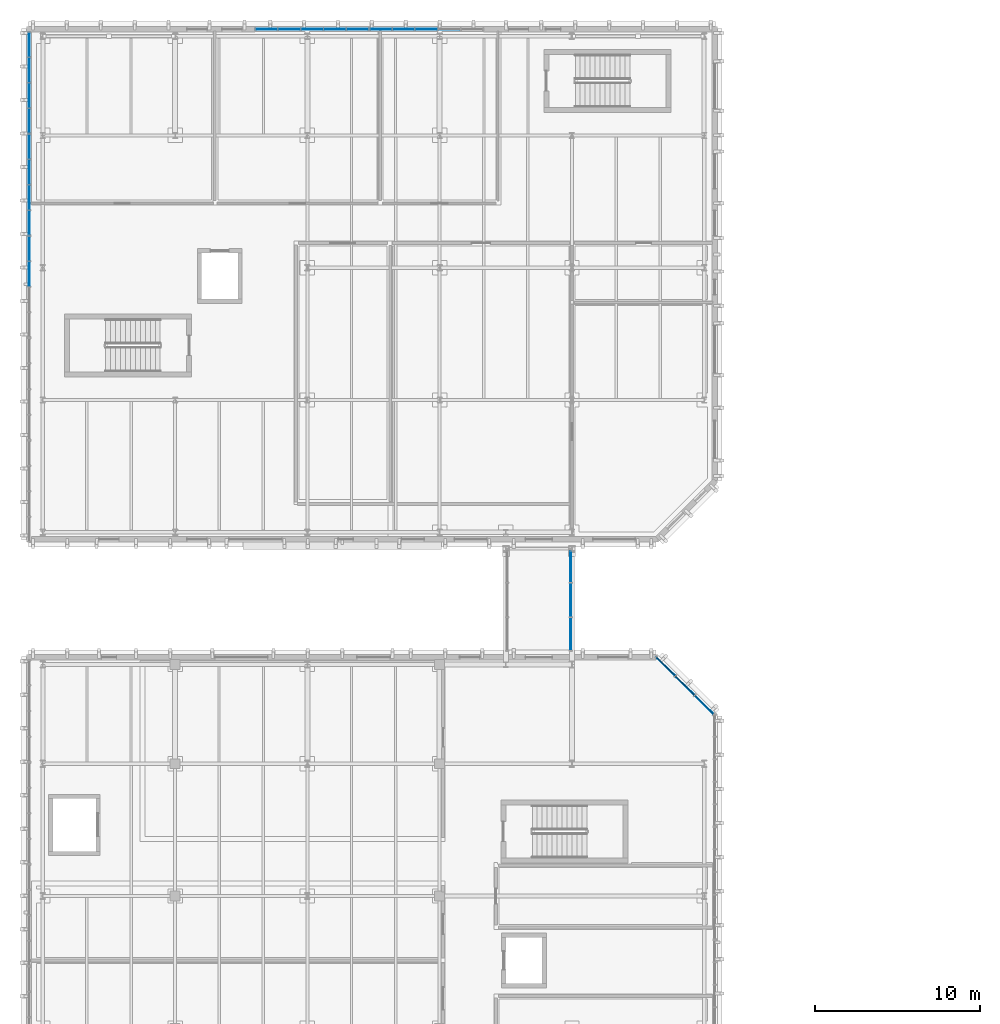
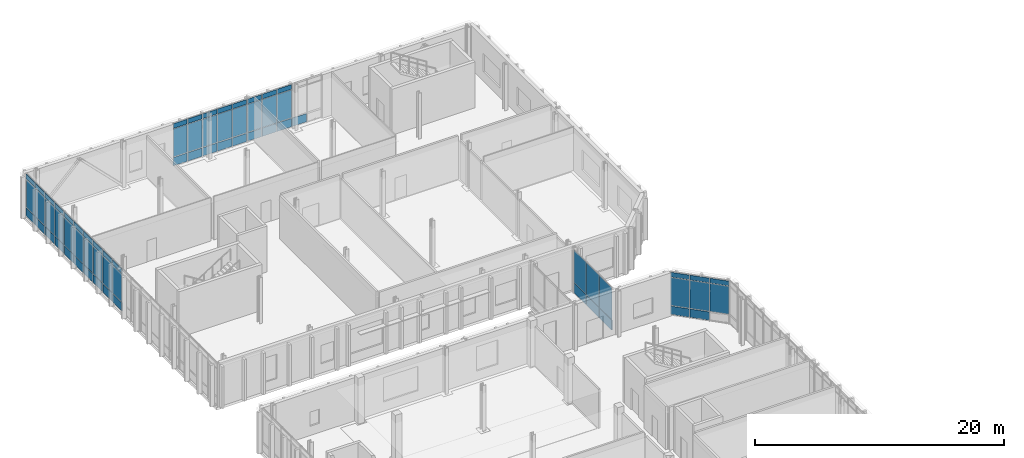
# One storey, part 58 of 100: 69 plates, 7 elements without a shape of their own.
"""IFC4 building model written with IfcOpenShell, lengths in metres."""

from ifc_helpers import new_model, si_unit, direction, frame, origin, origin_2d, place, context, subcontext, project, spatial, rectangle, extrude, material, layer, layer_set, type_object, element, aggregate, save


model = new_model("IFC4")

# Units and contexts
model_context = context("Model", 3, precision=1e-05, world=origin(), true_north=direction((0.0, 1.0)))
body_context = subcontext(model_context, "Body", "Model", "MODEL_VIEW")
ifc_project = project(units=[si_unit("LENGTHUNIT", "METRE"), si_unit("AREAUNIT", "SQUARE_METRE"), si_unit("VOLUMEUNIT", "CUBIC_METRE"), si_unit("PLANEANGLEUNIT", "RADIAN"), si_unit("MASSUNIT", "GRAM", prefix="KILO")], contexts=[model_context])

# Site, building, storey
site_placement = place(None, origin())
site = spatial("IfcSite", under=ifc_project, at=site_placement, CompositionType="ELEMENT")
building_placement = place(site_placement, origin())
building = spatial("IfcBuilding", under=site, at=building_placement, Name="Cymarion Research Institute", CompositionType="ELEMENT")
storey_placement = place(building_placement, frame((0.0, 0.0, 9.300048828125)))
storey = spatial("IfcBuildingStorey", under=building, at=storey_placement, Name="L02", CompositionType="ELEMENT", Elevation=9.300048828125)

# Curtain wall, plates
ifc_material_1 = material(Name="Anodised aluminium unitised curtain wall with Low-E glazing", Category="aluminium")
curtain_wall_type_1 = type_object("IfcCurtainWallType", Name="UNITISED CURTAIN WALL CW21 4970X4250", PredefinedType="NOTDEFINED", material=ifc_material_1)
curtain_wall_1_placement = place(storey_placement, origin())
curtain_wall_1 = element("IfcCurtainWall", 1, at=curtain_wall_1_placement, inside=storey, type_object=curtain_wall_type_1, Name="L02 V4 unitised curtain wall CW21 #102", PredefinedType="NOTDEFINED")
ifc_material_2 = material(Name="Insulated anodised aluminium spandrel panel", Category="aluminium")
ifc_layer_1 = layer(ifc_material_2, 0.06005859375)
ifc_layer_set_1 = layer_set([ifc_layer_1], Name="Insulated anodised aluminium spandrel panel")
plate_type_1 = type_object("IfcPlateType", Name="INSULATED ALUMINIUM SPANDREL PANEL SP01 60MM", PredefinedType="SHEET", material=ifc_layer_set_1)
plate_1_placement = place(storey_placement, frame((46.5966796875, 75.062744140625, 3.72998046875), z_axis=(0.0, 0.0, 1.0), x_axis=(-0.707096717405, 0.707116844825, 0.0)))
plate_1 = element("IfcPlate", 2, at=plate_1_placement, type_object=plate_type_1, Name="CW21 panel 1.3", PredefinedType="SHEET", context=body_context, shape_type="SweptSolid", body=[
    extrude(rectangle(XDim=1.566162109375, YDim=0.06005859375, at=origin_2d()), origin(), (0.0, 0.0, 1.0), 0.4599609375),
])
plate_2_placement = place(storey_placement, frame((45.436279296875, 76.22314453125, 0.059814453125), z_axis=(0.0, 0.0, 1.0), x_axis=(-0.707096717405, 0.707116844825, 0.0)))
plate_2 = element("IfcPlate", 3, at=plate_2_placement, type_object=plate_type_1, Name="CW21 panel 2.1", PredefinedType="SHEET", context=body_context, shape_type="SweptSolid", body=[
    extrude(rectangle(XDim=1.59619140625, YDim=0.06005859375, at=origin_2d()), origin(), (0.0, 0.0, 1.0), 0.81005859375),
])
plate_3_placement = place(storey_placement, frame((45.436279296875, 76.22314453125, 3.72998046875), z_axis=(0.0, 0.0, 1.0), x_axis=(-0.707096717405, 0.707116844825, 0.0)))
plate_3 = element("IfcPlate", 4, at=plate_3_placement, type_object=plate_type_1, Name="CW21 panel 2.3", PredefinedType="SHEET", context=body_context, shape_type="SweptSolid", body=[
    extrude(rectangle(XDim=1.59619140625, YDim=0.06005859375, at=origin_2d()), origin(), (0.0, 0.0, 1.0), 0.4599609375),
])
plate_4_placement = place(storey_placement, frame((44.27587890625, 77.383544921875, 0.059814453125), z_axis=(0.0, 0.0, 1.0), x_axis=(-0.707096717405, 0.707116844825, 0.0)))
plate_4 = element("IfcPlate", 5, at=plate_4_placement, type_object=plate_type_1, Name="CW21 panel 3.1", PredefinedType="SHEET", context=body_context, shape_type="SweptSolid", body=[
    extrude(rectangle(XDim=1.566162109375, YDim=0.06005859375, at=origin_2d()), origin(), (0.0, 0.0, 1.0), 0.81005859375),
])
plate_5_placement = place(storey_placement, frame((44.27587890625, 77.383544921875, 3.72998046875), z_axis=(0.0, 0.0, 1.0), x_axis=(-0.707096717405, 0.707116844825, 0.0)))
plate_5 = element("IfcPlate", 6, at=plate_5_placement, type_object=plate_type_1, Name="CW21 panel 3.3", PredefinedType="SHEET", context=body_context, shape_type="SweptSolid", body=[
    extrude(rectangle(XDim=1.566162109375, YDim=0.06005859375, at=origin_2d()), origin(), (0.0, 0.0, 1.0), 0.4599609375),
])

curtain_wall_type_2 = type_object("IfcCurtainWallType", Name="UNITISED CURTAIN WALL CW23 6910X4250", PredefinedType="NOTDEFINED", material=ifc_material_1)
curtain_wall_2_placement = place(storey_placement, origin())
curtain_wall_2 = element("IfcCurtainWall", 7, at=curtain_wall_2_placement, inside=storey, type_object=curtain_wall_type_2, Name="L02 V5 unitised curtain wall CW23 #108", PredefinedType="NOTDEFINED")
plate_6_placement = place(storey_placement, frame((31.177978515625, 115.929931640625, 0.059814453125), z_axis=(0.0, 0.0, 1.0), x_axis=(-1.0, 0.0, 0.0)))
plate_6 = element("IfcPlate", 8, at=plate_6_placement, type_object=plate_type_1, Name="CW23 panel 2.1", PredefinedType="SHEET", context=body_context, shape_type="SweptSolid", body=[
    extrude(rectangle(XDim=1.322509765625, YDim=0.06005859375, at=origin_2d()), origin(), (0.0, 0.0, 1.0), 0.81005859375),
])
plate_7_placement = place(storey_placement, frame((29.79541015625, 115.929931640625, 0.059814453125), z_axis=(0.0, 0.0, 1.0), x_axis=(-1.0, 0.0, 0.0)))
plate_7 = element("IfcPlate", 9, at=plate_7_placement, type_object=plate_type_1, Name="CW23 panel 3.1", PredefinedType="SHEET", context=body_context, shape_type="SweptSolid", body=[
    extrude(rectangle(XDim=1.322509765625, YDim=0.06005859375, at=origin_2d()), origin(), (0.0, 0.0, 1.0), 0.81005859375),
])
plate_8_placement = place(storey_placement, frame((29.79541015625, 115.929931640625, 3.72998046875), z_axis=(0.0, 0.0, 1.0), x_axis=(-1.0, 0.0, 0.0)))
plate_8 = element("IfcPlate", 10, at=plate_8_placement, type_object=plate_type_1, Name="CW23 panel 3.3", PredefinedType="SHEET", context=body_context, shape_type="SweptSolid", body=[
    extrude(rectangle(XDim=1.322509765625, YDim=0.06005859375, at=origin_2d()), origin(), (0.0, 0.0, 1.0), 0.4599609375),
])
plate_9_placement = place(storey_placement, frame((28.412841796875, 115.929931640625, 0.059814453125), z_axis=(0.0, 0.0, 1.0), x_axis=(-1.0, 0.0, 0.0)))
plate_9 = element("IfcPlate", 11, at=plate_9_placement, type_object=plate_type_1, Name="CW23 panel 4.1", PredefinedType="SHEET", context=body_context, shape_type="SweptSolid", body=[
    extrude(rectangle(XDim=1.322509765625, YDim=0.06005859375, at=origin_2d()), origin(), (0.0, 0.0, 1.0), 0.81005859375),
])
plate_10_placement = place(storey_placement, frame((28.412841796875, 115.929931640625, 3.72998046875), z_axis=(0.0, 0.0, 1.0), x_axis=(-1.0, 0.0, 0.0)))
plate_10 = element("IfcPlate", 12, at=plate_10_placement, type_object=plate_type_1, Name="CW23 panel 4.3", PredefinedType="SHEET", context=body_context, shape_type="SweptSolid", body=[
    extrude(rectangle(XDim=1.322509765625, YDim=0.06005859375, at=origin_2d()), origin(), (0.0, 0.0, 1.0), 0.4599609375),
])
plate_11_placement = place(storey_placement, frame((27.04541015625, 115.929931640625, 0.059814453125), z_axis=(0.0, 0.0, 1.0), x_axis=(-1.0, 0.0, 0.0)))
plate_11 = element("IfcPlate", 13, at=plate_11_placement, type_object=plate_type_1, Name="CW23 panel 5.1", PredefinedType="SHEET", context=body_context, shape_type="SweptSolid", body=[
    extrude(rectangle(XDim=1.29248046875, YDim=0.06005859375, at=origin_2d()), origin(), (0.0, 0.0, 1.0), 0.81005859375),
])
plate_12_placement = place(storey_placement, frame((27.04541015625, 115.929931640625, 3.72998046875), z_axis=(0.0, 0.0, 1.0), x_axis=(-1.0, 0.0, 0.0)))
plate_12 = element("IfcPlate", 14, at=plate_12_placement, type_object=plate_type_1, Name="CW23 panel 5.3", PredefinedType="SHEET", context=body_context, shape_type="SweptSolid", body=[
    extrude(rectangle(XDim=1.29248046875, YDim=0.06005859375, at=origin_2d()), origin(), (0.0, 0.0, 1.0), 0.4599609375),
])

curtain_wall_3_placement = place(storey_placement, origin())
curtain_wall_3 = element("IfcCurtainWall", 15, at=curtain_wall_3_placement, inside=storey, type_object=curtain_wall_type_2, Name="L02 V5 unitised curtain wall CW23 #109", PredefinedType="NOTDEFINED")
plate_13_placement = place(storey_placement, frame((25.6328125, 115.929931640625, 0.059814453125), z_axis=(0.0, 0.0, 1.0), x_axis=(-1.0, 0.0, 0.0)))
plate_13 = element("IfcPlate", 16, at=plate_13_placement, type_object=plate_type_1, Name="CW23 panel 1.1", PredefinedType="SHEET", context=body_context, shape_type="SweptSolid", body=[
    extrude(rectangle(XDim=1.29248046875, YDim=0.06005859375, at=origin_2d()), origin(), (0.0, 0.0, 1.0), 0.81005859375),
])
plate_14_placement = place(storey_placement, frame((25.6328125, 115.929931640625, 3.72998046875), z_axis=(0.0, 0.0, 1.0), x_axis=(-1.0, 0.0, 0.0)))
plate_14 = element("IfcPlate", 17, at=plate_14_placement, type_object=plate_type_1, Name="CW23 panel 1.3", PredefinedType="SHEET", context=body_context, shape_type="SweptSolid", body=[
    extrude(rectangle(XDim=1.29248046875, YDim=0.06005859375, at=origin_2d()), origin(), (0.0, 0.0, 1.0), 0.4599609375),
])
plate_15_placement = place(storey_placement, frame((24.26513671875, 115.929931640625, 0.059814453125), z_axis=(0.0, 0.0, 1.0), x_axis=(-1.0, 0.0, 0.0)))
plate_15 = element("IfcPlate", 18, at=plate_15_placement, type_object=plate_type_1, Name="CW23 panel 2.1", PredefinedType="SHEET", context=body_context, shape_type="SweptSolid", body=[
    extrude(rectangle(XDim=1.322509765625, YDim=0.06005859375, at=origin_2d()), origin(), (0.0, 0.0, 1.0), 0.81005859375),
])
plate_16_placement = place(storey_placement, frame((24.26513671875, 115.929931640625, 3.72998046875), z_axis=(0.0, 0.0, 1.0), x_axis=(-1.0, 0.0, 0.0)))
plate_16 = element("IfcPlate", 19, at=plate_16_placement, type_object=plate_type_1, Name="CW23 panel 2.3", PredefinedType="SHEET", context=body_context, shape_type="SweptSolid", body=[
    extrude(rectangle(XDim=1.322509765625, YDim=0.06005859375, at=origin_2d()), origin(), (0.0, 0.0, 1.0), 0.4599609375),
])
plate_17_placement = place(storey_placement, frame((22.882568359375, 115.929931640625, 0.059814453125), z_axis=(0.0, 0.0, 1.0), x_axis=(-1.0, 0.0, 0.0)))
plate_17 = element("IfcPlate", 20, at=plate_17_placement, type_object=plate_type_1, Name="CW23 panel 3.1", PredefinedType="SHEET", context=body_context, shape_type="SweptSolid", body=[
    extrude(rectangle(XDim=1.322509765625, YDim=0.06005859375, at=origin_2d()), origin(), (0.0, 0.0, 1.0), 0.81005859375),
])
plate_18_placement = place(storey_placement, frame((22.882568359375, 115.929931640625, 3.72998046875), z_axis=(0.0, 0.0, 1.0), x_axis=(-1.0, 0.0, 0.0)))
plate_18 = element("IfcPlate", 21, at=plate_18_placement, type_object=plate_type_1, Name="CW23 panel 3.3", PredefinedType="SHEET", context=body_context, shape_type="SweptSolid", body=[
    extrude(rectangle(XDim=1.322509765625, YDim=0.06005859375, at=origin_2d()), origin(), (0.0, 0.0, 1.0), 0.4599609375),
])
plate_19_placement = place(storey_placement, frame((21.5, 115.929931640625, 0.059814453125), z_axis=(0.0, 0.0, 1.0), x_axis=(-1.0, 0.0, 0.0)))
plate_19 = element("IfcPlate", 22, at=plate_19_placement, type_object=plate_type_1, Name="CW23 panel 4.1", PredefinedType="SHEET", context=body_context, shape_type="SweptSolid", body=[
    extrude(rectangle(XDim=1.322509765625, YDim=0.06005859375, at=origin_2d()), origin(), (0.0, 0.0, 1.0), 0.81005859375),
])
plate_20_placement = place(storey_placement, frame((21.5, 115.929931640625, 3.72998046875), z_axis=(0.0, 0.0, 1.0), x_axis=(-1.0, 0.0, 0.0)))
plate_20 = element("IfcPlate", 23, at=plate_20_placement, type_object=plate_type_1, Name="CW23 panel 4.3", PredefinedType="SHEET", context=body_context, shape_type="SweptSolid", body=[
    extrude(rectangle(XDim=1.322509765625, YDim=0.06005859375, at=origin_2d()), origin(), (0.0, 0.0, 1.0), 0.4599609375),
])
plate_21_placement = place(storey_placement, frame((20.13232421875, 115.929931640625, 0.059814453125), z_axis=(0.0, 0.0, 1.0), x_axis=(-1.0, 0.0, 0.0)))
plate_21 = element("IfcPlate", 24, at=plate_21_placement, type_object=plate_type_1, Name="CW23 panel 5.1", PredefinedType="SHEET", context=body_context, shape_type="SweptSolid", body=[
    extrude(rectangle(XDim=1.29248046875, YDim=0.06005859375, at=origin_2d()), origin(), (0.0, 0.0, 1.0), 0.81005859375),
])
plate_22_placement = place(storey_placement, frame((20.13232421875, 115.929931640625, 3.72998046875), z_axis=(0.0, 0.0, 1.0), x_axis=(-1.0, 0.0, 0.0)))
plate_22 = element("IfcPlate", 25, at=plate_22_placement, type_object=plate_type_1, Name="CW23 panel 5.3", PredefinedType="SHEET", context=body_context, shape_type="SweptSolid", body=[
    extrude(rectangle(XDim=1.29248046875, YDim=0.06005859375, at=origin_2d()), origin(), (0.0, 0.0, 1.0), 0.4599609375),
])

curtain_wall_type_3 = type_object("IfcCurtainWallType", Name="UNITISED CURTAIN WALL CW22 6180X4250", PredefinedType="NOTDEFINED", material=ifc_material_1)
curtain_wall_4_placement = place(storey_placement, origin())
curtain_wall_4 = element("IfcCurtainWall", 26, at=curtain_wall_4_placement, inside=storey, type_object=curtain_wall_type_3, Name="L02 V5 unitised curtain wall CW22 #110", PredefinedType="NOTDEFINED")
plate_23_placement = place(storey_placement, frame((5.77001953125, 114.990966796875, 0.059814453125), z_axis=(0.0, 0.0, 1.0), x_axis=(0.0, -1.0, 0.0)))
plate_23 = element("IfcPlate", 27, at=plate_23_placement, type_object=plate_type_1, Name="CW22 panel 1.1", PredefinedType="SHEET", context=body_context, shape_type="SweptSolid", body=[
    extrude(rectangle(XDim=1.453857421875, YDim=0.06005859375, at=origin_2d()), origin(), (0.0, 0.0, 1.0), 0.81005859375),
])
plate_24_placement = place(storey_placement, frame((5.77001953125, 114.990966796875, 3.72998046875), z_axis=(0.0, 0.0, 1.0), x_axis=(0.0, -1.0, 0.0)))
plate_24 = element("IfcPlate", 28, at=plate_24_placement, type_object=plate_type_1, Name="CW22 panel 1.3", PredefinedType="SHEET", context=body_context, shape_type="SweptSolid", body=[
    extrude(rectangle(XDim=1.453857421875, YDim=0.06005859375, at=origin_2d()), origin(), (0.0, 0.0, 1.0), 0.4599609375),
])
plate_25_placement = place(storey_placement, frame((5.77001953125, 113.462158203125, 0.059814453125), z_axis=(0.0, 0.0, 1.0), x_axis=(0.0, -1.0, 0.0)))
plate_25 = element("IfcPlate", 29, at=plate_25_placement, type_object=plate_type_1, Name="CW22 panel 2.1", PredefinedType="SHEET", context=body_context, shape_type="SweptSolid", body=[
    extrude(rectangle(XDim=1.48388671875, YDim=0.06005859375, at=origin_2d()), origin(), (0.0, 0.0, 1.0), 0.81005859375),
])
plate_26_placement = place(storey_placement, frame((5.77001953125, 113.462158203125, 3.72998046875), z_axis=(0.0, 0.0, 1.0), x_axis=(0.0, -1.0, 0.0)))
plate_26 = element("IfcPlate", 30, at=plate_26_placement, type_object=plate_type_1, Name="CW22 panel 2.3", PredefinedType="SHEET", context=body_context, shape_type="SweptSolid", body=[
    extrude(rectangle(XDim=1.48388671875, YDim=0.06005859375, at=origin_2d()), origin(), (0.0, 0.0, 1.0), 0.4599609375),
])
plate_27_placement = place(storey_placement, frame((5.77001953125, 111.918212890625, 0.059814453125), z_axis=(0.0, 0.0, 1.0), x_axis=(0.0, -1.0, 0.0)))
plate_27 = element("IfcPlate", 31, at=plate_27_placement, type_object=plate_type_1, Name="CW22 panel 3.1", PredefinedType="SHEET", context=body_context, shape_type="SweptSolid", body=[
    extrude(rectangle(XDim=1.48388671875, YDim=0.06005859375, at=origin_2d()), origin(), (0.0, 0.0, 1.0), 0.81005859375),
])
plate_28_placement = place(storey_placement, frame((5.77001953125, 111.918212890625, 3.72998046875), z_axis=(0.0, 0.0, 1.0), x_axis=(0.0, -1.0, 0.0)))
plate_28 = element("IfcPlate", 32, at=plate_28_placement, type_object=plate_type_1, Name="CW22 panel 3.3", PredefinedType="SHEET", context=body_context, shape_type="SweptSolid", body=[
    extrude(rectangle(XDim=1.48388671875, YDim=0.06005859375, at=origin_2d()), origin(), (0.0, 0.0, 1.0), 0.4599609375),
])
plate_29_placement = place(storey_placement, frame((5.77001953125, 110.389404296875, 0.059814453125), z_axis=(0.0, 0.0, 1.0), x_axis=(0.0, -1.0, 0.0)))
plate_29 = element("IfcPlate", 33, at=plate_29_placement, type_object=plate_type_1, Name="CW22 panel 4.1", PredefinedType="SHEET", context=body_context, shape_type="SweptSolid", body=[
    extrude(rectangle(XDim=1.453857421875, YDim=0.06005859375, at=origin_2d()), origin(), (0.0, 0.0, 1.0), 0.81005859375),
])
plate_30_placement = place(storey_placement, frame((5.77001953125, 110.389404296875, 3.72998046875), z_axis=(0.0, 0.0, 1.0), x_axis=(0.0, -1.0, 0.0)))
plate_30 = element("IfcPlate", 34, at=plate_30_placement, type_object=plate_type_1, Name="CW22 panel 4.3", PredefinedType="SHEET", context=body_context, shape_type="SweptSolid", body=[
    extrude(rectangle(XDim=1.453857421875, YDim=0.06005859375, at=origin_2d()), origin(), (0.0, 0.0, 1.0), 0.4599609375),
])

curtain_wall_5_placement = place(storey_placement, origin())
curtain_wall_5 = element("IfcCurtainWall", 35, at=curtain_wall_5_placement, inside=storey, type_object=curtain_wall_type_3, Name="L02 V5 unitised curtain wall CW22 #111", PredefinedType="NOTDEFINED")
plate_31_placement = place(storey_placement, frame((5.77001953125, 108.8154296875, 0.059814453125), z_axis=(0.0, 0.0, 1.0), x_axis=(0.0, -1.0, 0.0)))
plate_31 = element("IfcPlate", 36, at=plate_31_placement, type_object=plate_type_1, Name="CW22 panel 1.1", PredefinedType="SHEET", context=body_context, shape_type="SweptSolid", body=[
    extrude(rectangle(XDim=1.453857421875, YDim=0.06005859375, at=origin_2d()), origin(), (0.0, 0.0, 1.0), 0.81005859375),
])
plate_32_placement = place(storey_placement, frame((5.77001953125, 108.8154296875, 3.72998046875), z_axis=(0.0, 0.0, 1.0), x_axis=(0.0, -1.0, 0.0)))
plate_32 = element("IfcPlate", 37, at=plate_32_placement, type_object=plate_type_1, Name="CW22 panel 1.3", PredefinedType="SHEET", context=body_context, shape_type="SweptSolid", body=[
    extrude(rectangle(XDim=1.453857421875, YDim=0.06005859375, at=origin_2d()), origin(), (0.0, 0.0, 1.0), 0.4599609375),
])
plate_33_placement = place(storey_placement, frame((5.77001953125, 107.28662109375, 0.059814453125), z_axis=(0.0, 0.0, 1.0), x_axis=(0.0, -1.0, 0.0)))
plate_33 = element("IfcPlate", 38, at=plate_33_placement, type_object=plate_type_1, Name="CW22 panel 2.1", PredefinedType="SHEET", context=body_context, shape_type="SweptSolid", body=[
    extrude(rectangle(XDim=1.48388671875, YDim=0.06005859375, at=origin_2d()), origin(), (0.0, 0.0, 1.0), 0.81005859375),
])
plate_34_placement = place(storey_placement, frame((5.77001953125, 107.28662109375, 3.72998046875), z_axis=(0.0, 0.0, 1.0), x_axis=(0.0, -1.0, 0.0)))
plate_34 = element("IfcPlate", 39, at=plate_34_placement, type_object=plate_type_1, Name="CW22 panel 2.3", PredefinedType="SHEET", context=body_context, shape_type="SweptSolid", body=[
    extrude(rectangle(XDim=1.48388671875, YDim=0.06005859375, at=origin_2d()), origin(), (0.0, 0.0, 1.0), 0.4599609375),
])
plate_35_placement = place(storey_placement, frame((5.77001953125, 105.74267578125, 0.059814453125), z_axis=(0.0, 0.0, 1.0), x_axis=(0.0, -1.0, 0.0)))
plate_35 = element("IfcPlate", 40, at=plate_35_placement, type_object=plate_type_1, Name="CW22 panel 3.1", PredefinedType="SHEET", context=body_context, shape_type="SweptSolid", body=[
    extrude(rectangle(XDim=1.48388671875, YDim=0.06005859375, at=origin_2d()), origin(), (0.0, 0.0, 1.0), 0.81005859375),
])
plate_36_placement = place(storey_placement, frame((5.77001953125, 105.74267578125, 3.72998046875), z_axis=(0.0, 0.0, 1.0), x_axis=(0.0, -1.0, 0.0)))
plate_36 = element("IfcPlate", 41, at=plate_36_placement, type_object=plate_type_1, Name="CW22 panel 3.3", PredefinedType="SHEET", context=body_context, shape_type="SweptSolid", body=[
    extrude(rectangle(XDim=1.48388671875, YDim=0.06005859375, at=origin_2d()), origin(), (0.0, 0.0, 1.0), 0.4599609375),
])
plate_37_placement = place(storey_placement, frame((5.77001953125, 104.2138671875, 0.059814453125), z_axis=(0.0, 0.0, 1.0), x_axis=(0.0, -1.0, 0.0)))
plate_37 = element("IfcPlate", 42, at=plate_37_placement, type_object=plate_type_1, Name="CW22 panel 4.1", PredefinedType="SHEET", context=body_context, shape_type="SweptSolid", body=[
    extrude(rectangle(XDim=1.453857421875, YDim=0.06005859375, at=origin_2d()), origin(), (0.0, 0.0, 1.0), 0.81005859375),
])
plate_38_placement = place(storey_placement, frame((5.77001953125, 104.2138671875, 3.72998046875), z_axis=(0.0, 0.0, 1.0), x_axis=(0.0, -1.0, 0.0)))
plate_38 = element("IfcPlate", 43, at=plate_38_placement, type_object=plate_type_1, Name="CW22 panel 4.3", PredefinedType="SHEET", context=body_context, shape_type="SweptSolid", body=[
    extrude(rectangle(XDim=1.453857421875, YDim=0.06005859375, at=origin_2d()), origin(), (0.0, 0.0, 1.0), 0.4599609375),
])

curtain_wall_6_placement = place(storey_placement, origin())
curtain_wall_6 = element("IfcCurtainWall", 44, at=curtain_wall_6_placement, inside=storey, type_object=curtain_wall_type_3, Name="L02 V5 unitised curtain wall CW22 #112", PredefinedType="NOTDEFINED")
plate_39_placement = place(storey_placement, frame((5.77001953125, 102.639892578125, 0.059814453125), z_axis=(0.0, 0.0, 1.0), x_axis=(0.0, -1.0, 0.0)))
plate_39 = element("IfcPlate", 45, at=plate_39_placement, type_object=plate_type_1, Name="CW22 panel 1.1", PredefinedType="SHEET", context=body_context, shape_type="SweptSolid", body=[
    extrude(rectangle(XDim=1.453857421875, YDim=0.06005859375, at=origin_2d()), origin(), (0.0, 0.0, 1.0), 0.81005859375),
])
plate_40_placement = place(storey_placement, frame((5.77001953125, 102.639892578125, 3.72998046875), z_axis=(0.0, 0.0, 1.0), x_axis=(0.0, -1.0, 0.0)))
plate_40 = element("IfcPlate", 46, at=plate_40_placement, type_object=plate_type_1, Name="CW22 panel 1.3", PredefinedType="SHEET", context=body_context, shape_type="SweptSolid", body=[
    extrude(rectangle(XDim=1.453857421875, YDim=0.06005859375, at=origin_2d()), origin(), (0.0, 0.0, 1.0), 0.4599609375),
])
plate_41_placement = place(storey_placement, frame((5.77001953125, 101.11083984375, 0.059814453125), z_axis=(0.0, 0.0, 1.0), x_axis=(0.0, -1.0, 0.0)))
plate_41 = element("IfcPlate", 47, at=plate_41_placement, type_object=plate_type_1, Name="CW22 panel 2.1", PredefinedType="SHEET", context=body_context, shape_type="SweptSolid", body=[
    extrude(rectangle(XDim=1.48388671875, YDim=0.06005859375, at=origin_2d()), origin(), (0.0, 0.0, 1.0), 0.81005859375),
])
plate_42_placement = place(storey_placement, frame((5.77001953125, 101.11083984375, 3.72998046875), z_axis=(0.0, 0.0, 1.0), x_axis=(0.0, -1.0, 0.0)))
plate_42 = element("IfcPlate", 48, at=plate_42_placement, type_object=plate_type_1, Name="CW22 panel 2.3", PredefinedType="SHEET", context=body_context, shape_type="SweptSolid", body=[
    extrude(rectangle(XDim=1.48388671875, YDim=0.06005859375, at=origin_2d()), origin(), (0.0, 0.0, 1.0), 0.4599609375),
])

curtain_wall_type_4 = type_object("IfcCurtainWallType", Name="UNITISED CURTAIN WALL CW25 6200X4260", PredefinedType="NOTDEFINED", material=ifc_material_1)
curtain_wall_7_placement = place(storey_placement, origin())
curtain_wall_7 = element("IfcCurtainWall", 49, at=curtain_wall_7_placement, inside=storey, type_object=curtain_wall_type_4, Name="L02 SP2 sky-passage glazed wall 2", PredefinedType="NOTDEFINED")
plate_43_placement = place(storey_placement, frame((38.52001953125, 79.348388671875, 0.06005859375), z_axis=(0.0, 0.0, 1.0), x_axis=(0.0, 1.0, 0.0)))
plate_43 = element("IfcPlate", 50, at=plate_43_placement, type_object=plate_type_1, Name="CW25 panel 1.1", PredefinedType="SHEET", context=body_context, shape_type="SweptSolid", body=[
    extrude(rectangle(XDim=1.9765625, YDim=0.06005859375, at=origin_2d()), origin(), (0.0, 0.0, 1.0), 0.9599609375),
])
plate_44_placement = place(storey_placement, frame((38.52001953125, 81.39990234375, 0.06005859375), z_axis=(0.0, 0.0, 1.0), x_axis=(0.0, 1.0, 0.0)))
plate_44 = element("IfcPlate", 51, at=plate_44_placement, type_object=plate_type_1, Name="CW25 panel 2.1", PredefinedType="SHEET", context=body_context, shape_type="SweptSolid", body=[
    extrude(rectangle(XDim=2.006591796875, YDim=0.06005859375, at=origin_2d()), origin(), (0.0, 0.0, 1.0), 0.9599609375),
])
plate_45_placement = place(storey_placement, frame((38.52001953125, 83.45166015625, 0.06005859375), z_axis=(0.0, 0.0, 1.0), x_axis=(0.0, 1.0, 0.0)))
plate_45 = element("IfcPlate", 52, at=plate_45_placement, type_object=plate_type_1, Name="CW25 panel 3.1", PredefinedType="SHEET", context=body_context, shape_type="SweptSolid", body=[
    extrude(rectangle(XDim=1.9765625, YDim=0.06005859375, at=origin_2d()), origin(), (0.0, 0.0, 1.0), 0.9599609375),
])

# Plate
ifc_material_3 = material(Name="Low-E double solar-control glazing", Category="glass")
ifc_layer_2 = layer(ifc_material_3, 0.035888671875)
ifc_layer_set_2 = layer_set([ifc_layer_2], Name="Low-E double solar-control glazing")
plate_type_2 = type_object("IfcPlateType", Name="SOLAR CONTROL GLAZED VISION PANEL GP01 36MM", PredefinedType="CURTAIN_PANEL", material=ifc_layer_set_2)
plate_46_placement = place(storey_placement, frame((46.5966796875, 75.062744140625, 0.93017578125), z_axis=(0.0, 0.0, 1.0), x_axis=(-0.707096717405, 0.707116844825, 0.0)))
plate_46 = element("IfcPlate", 53, at=plate_46_placement, type_object=plate_type_2, Name="CW21 panel 1.2", PredefinedType="CURTAIN_PANEL", context=body_context, shape_type="SweptSolid", body=[
    extrude(rectangle(XDim=1.566162109375, YDim=0.035888671875, at=origin_2d()), origin(), (0.0, 0.0, 1.0), 2.739990234375),
])

plate_47_placement = place(storey_placement, frame((45.436279296875, 76.22314453125, 0.93017578125), z_axis=(0.0, 0.0, 1.0), x_axis=(-0.707096717405, 0.707116844825, 0.0)))
plate_47 = element("IfcPlate", 54, at=plate_47_placement, type_object=plate_type_2, Name="CW21 panel 2.2", PredefinedType="CURTAIN_PANEL", context=body_context, shape_type="SweptSolid", body=[
    extrude(rectangle(XDim=1.59619140625, YDim=0.035888671875, at=origin_2d()), origin(), (0.0, 0.0, 1.0), 2.739990234375),
])

plate_48_placement = place(storey_placement, frame((44.27587890625, 77.383544921875, 0.93017578125), z_axis=(0.0, 0.0, 1.0), x_axis=(-0.707096717405, 0.707116844825, 0.0)))
plate_48 = element("IfcPlate", 55, at=plate_48_placement, type_object=plate_type_2, Name="CW21 panel 3.2", PredefinedType="CURTAIN_PANEL", context=body_context, shape_type="SweptSolid", body=[
    extrude(rectangle(XDim=1.566162109375, YDim=0.035888671875, at=origin_2d()), origin(), (0.0, 0.0, 1.0), 2.739990234375),
])

aggregate(curtain_wall_1, [plate_46, plate_1, plate_2, plate_47, plate_3, plate_4, plate_48, plate_5])

plate_49_placement = place(storey_placement, frame((29.79541015625, 115.929931640625, 0.93017578125), z_axis=(0.0, 0.0, 1.0), x_axis=(-1.0, 0.0, 0.0)))
plate_49 = element("IfcPlate", 56, at=plate_49_placement, type_object=plate_type_2, Name="CW23 panel 3.2", PredefinedType="CURTAIN_PANEL", context=body_context, shape_type="SweptSolid", body=[
    extrude(rectangle(XDim=1.322509765625, YDim=0.035888671875, at=origin_2d()), origin(), (0.0, 0.0, 1.0), 2.739990234375),
])

plate_50_placement = place(storey_placement, frame((28.412841796875, 115.929931640625, 0.93017578125), z_axis=(0.0, 0.0, 1.0), x_axis=(-1.0, 0.0, 0.0)))
plate_50 = element("IfcPlate", 57, at=plate_50_placement, type_object=plate_type_2, Name="CW23 panel 4.2", PredefinedType="CURTAIN_PANEL", context=body_context, shape_type="SweptSolid", body=[
    extrude(rectangle(XDim=1.322509765625, YDim=0.035888671875, at=origin_2d()), origin(), (0.0, 0.0, 1.0), 2.739990234375),
])

plate_51_placement = place(storey_placement, frame((27.04541015625, 115.929931640625, 0.93017578125), z_axis=(0.0, 0.0, 1.0), x_axis=(-1.0, 0.0, 0.0)))
plate_51 = element("IfcPlate", 58, at=plate_51_placement, type_object=plate_type_2, Name="CW23 panel 5.2", PredefinedType="CURTAIN_PANEL", context=body_context, shape_type="SweptSolid", body=[
    extrude(rectangle(XDim=1.29248046875, YDim=0.035888671875, at=origin_2d()), origin(), (0.0, 0.0, 1.0), 2.739990234375),
])

aggregate(curtain_wall_2, [plate_6, plate_7, plate_49, plate_8, plate_9, plate_50, plate_10, plate_11, plate_51, plate_12])

plate_52_placement = place(storey_placement, frame((25.6328125, 115.929931640625, 0.93017578125), z_axis=(0.0, 0.0, 1.0), x_axis=(-1.0, 0.0, 0.0)))
plate_52 = element("IfcPlate", 59, at=plate_52_placement, type_object=plate_type_2, Name="CW23 panel 1.2", PredefinedType="CURTAIN_PANEL", context=body_context, shape_type="SweptSolid", body=[
    extrude(rectangle(XDim=1.29248046875, YDim=0.035888671875, at=origin_2d()), origin(), (0.0, 0.0, 1.0), 2.739990234375),
])

plate_53_placement = place(storey_placement, frame((24.26513671875, 115.929931640625, 0.93017578125), z_axis=(0.0, 0.0, 1.0), x_axis=(-1.0, 0.0, 0.0)))
plate_53 = element("IfcPlate", 60, at=plate_53_placement, type_object=plate_type_2, Name="CW23 panel 2.2", PredefinedType="CURTAIN_PANEL", context=body_context, shape_type="SweptSolid", body=[
    extrude(rectangle(XDim=1.322509765625, YDim=0.035888671875, at=origin_2d()), origin(), (0.0, 0.0, 1.0), 2.739990234375),
])

plate_54_placement = place(storey_placement, frame((22.882568359375, 115.929931640625, 0.93017578125), z_axis=(0.0, 0.0, 1.0), x_axis=(-1.0, 0.0, 0.0)))
plate_54 = element("IfcPlate", 61, at=plate_54_placement, type_object=plate_type_2, Name="CW23 panel 3.2", PredefinedType="CURTAIN_PANEL", context=body_context, shape_type="SweptSolid", body=[
    extrude(rectangle(XDim=1.322509765625, YDim=0.035888671875, at=origin_2d()), origin(), (0.0, 0.0, 1.0), 2.739990234375),
])

plate_55_placement = place(storey_placement, frame((21.5, 115.929931640625, 0.93017578125), z_axis=(0.0, 0.0, 1.0), x_axis=(-1.0, 0.0, 0.0)))
plate_55 = element("IfcPlate", 62, at=plate_55_placement, type_object=plate_type_2, Name="CW23 panel 4.2", PredefinedType="CURTAIN_PANEL", context=body_context, shape_type="SweptSolid", body=[
    extrude(rectangle(XDim=1.322509765625, YDim=0.035888671875, at=origin_2d()), origin(), (0.0, 0.0, 1.0), 2.739990234375),
])

plate_56_placement = place(storey_placement, frame((20.13232421875, 115.929931640625, 0.93017578125), z_axis=(0.0, 0.0, 1.0), x_axis=(-1.0, 0.0, 0.0)))
plate_56 = element("IfcPlate", 63, at=plate_56_placement, type_object=plate_type_2, Name="CW23 panel 5.2", PredefinedType="CURTAIN_PANEL", context=body_context, shape_type="SweptSolid", body=[
    extrude(rectangle(XDim=1.29248046875, YDim=0.035888671875, at=origin_2d()), origin(), (0.0, 0.0, 1.0), 2.739990234375),
])

aggregate(curtain_wall_3, [plate_13, plate_52, plate_14, plate_15, plate_53, plate_16, plate_17, plate_54, plate_18, plate_19, plate_55, plate_20, plate_21, plate_56, plate_22])

plate_57_placement = place(storey_placement, frame((5.77001953125, 114.990966796875, 0.93017578125), z_axis=(0.0, 0.0, 1.0), x_axis=(0.0, -1.0, 0.0)))
plate_57 = element("IfcPlate", 64, at=plate_57_placement, type_object=plate_type_2, Name="CW22 panel 1.2", PredefinedType="CURTAIN_PANEL", context=body_context, shape_type="SweptSolid", body=[
    extrude(rectangle(XDim=1.453857421875, YDim=0.035888671875, at=origin_2d()), origin(), (0.0, 0.0, 1.0), 2.739990234375),
])

plate_58_placement = place(storey_placement, frame((5.77001953125, 113.462158203125, 0.93017578125), z_axis=(0.0, 0.0, 1.0), x_axis=(0.0, -1.0, 0.0)))
plate_58 = element("IfcPlate", 65, at=plate_58_placement, type_object=plate_type_2, Name="CW22 panel 2.2", PredefinedType="CURTAIN_PANEL", context=body_context, shape_type="SweptSolid", body=[
    extrude(rectangle(XDim=1.48388671875, YDim=0.035888671875, at=origin_2d()), origin(), (0.0, 0.0, 1.0), 2.739990234375),
])

plate_59_placement = place(storey_placement, frame((5.77001953125, 111.918212890625, 0.93017578125), z_axis=(0.0, 0.0, 1.0), x_axis=(0.0, -1.0, 0.0)))
plate_59 = element("IfcPlate", 66, at=plate_59_placement, type_object=plate_type_2, Name="CW22 panel 3.2", PredefinedType="CURTAIN_PANEL", context=body_context, shape_type="SweptSolid", body=[
    extrude(rectangle(XDim=1.48388671875, YDim=0.035888671875, at=origin_2d()), origin(), (0.0, 0.0, 1.0), 2.739990234375),
])

plate_60_placement = place(storey_placement, frame((5.77001953125, 110.389404296875, 0.93017578125), z_axis=(0.0, 0.0, 1.0), x_axis=(0.0, -1.0, 0.0)))
plate_60 = element("IfcPlate", 67, at=plate_60_placement, type_object=plate_type_2, Name="CW22 panel 4.2", PredefinedType="CURTAIN_PANEL", context=body_context, shape_type="SweptSolid", body=[
    extrude(rectangle(XDim=1.453857421875, YDim=0.035888671875, at=origin_2d()), origin(), (0.0, 0.0, 1.0), 2.739990234375),
])

aggregate(curtain_wall_4, [plate_23, plate_57, plate_24, plate_25, plate_58, plate_26, plate_27, plate_59, plate_28, plate_29, plate_60, plate_30])

plate_61_placement = place(storey_placement, frame((5.77001953125, 108.8154296875, 0.93017578125), z_axis=(0.0, 0.0, 1.0), x_axis=(0.0, -1.0, 0.0)))
plate_61 = element("IfcPlate", 68, at=plate_61_placement, type_object=plate_type_2, Name="CW22 panel 1.2", PredefinedType="CURTAIN_PANEL", context=body_context, shape_type="SweptSolid", body=[
    extrude(rectangle(XDim=1.453857421875, YDim=0.035888671875, at=origin_2d()), origin(), (0.0, 0.0, 1.0), 2.739990234375),
])

plate_62_placement = place(storey_placement, frame((5.77001953125, 107.28662109375, 0.93017578125), z_axis=(0.0, 0.0, 1.0), x_axis=(0.0, -1.0, 0.0)))
plate_62 = element("IfcPlate", 69, at=plate_62_placement, type_object=plate_type_2, Name="CW22 panel 2.2", PredefinedType="CURTAIN_PANEL", context=body_context, shape_type="SweptSolid", body=[
    extrude(rectangle(XDim=1.48388671875, YDim=0.035888671875, at=origin_2d()), origin(), (0.0, 0.0, 1.0), 2.739990234375),
])

plate_63_placement = place(storey_placement, frame((5.77001953125, 105.74267578125, 0.93017578125), z_axis=(0.0, 0.0, 1.0), x_axis=(0.0, -1.0, 0.0)))
plate_63 = element("IfcPlate", 70, at=plate_63_placement, type_object=plate_type_2, Name="CW22 panel 3.2", PredefinedType="CURTAIN_PANEL", context=body_context, shape_type="SweptSolid", body=[
    extrude(rectangle(XDim=1.48388671875, YDim=0.035888671875, at=origin_2d()), origin(), (0.0, 0.0, 1.0), 2.739990234375),
])

plate_64_placement = place(storey_placement, frame((5.77001953125, 104.2138671875, 0.93017578125), z_axis=(0.0, 0.0, 1.0), x_axis=(0.0, -1.0, 0.0)))
plate_64 = element("IfcPlate", 71, at=plate_64_placement, type_object=plate_type_2, Name="CW22 panel 4.2", PredefinedType="CURTAIN_PANEL", context=body_context, shape_type="SweptSolid", body=[
    extrude(rectangle(XDim=1.453857421875, YDim=0.035888671875, at=origin_2d()), origin(), (0.0, 0.0, 1.0), 2.739990234375),
])

aggregate(curtain_wall_5, [plate_31, plate_61, plate_32, plate_33, plate_62, plate_34, plate_35, plate_63, plate_36, plate_37, plate_64, plate_38])

plate_65_placement = place(storey_placement, frame((5.77001953125, 102.639892578125, 0.93017578125), z_axis=(0.0, 0.0, 1.0), x_axis=(0.0, -1.0, 0.0)))
plate_65 = element("IfcPlate", 72, at=plate_65_placement, type_object=plate_type_2, Name="CW22 panel 1.2", PredefinedType="CURTAIN_PANEL", context=body_context, shape_type="SweptSolid", body=[
    extrude(rectangle(XDim=1.453857421875, YDim=0.035888671875, at=origin_2d()), origin(), (0.0, 0.0, 1.0), 2.739990234375),
])

plate_66_placement = place(storey_placement, frame((5.77001953125, 101.11083984375, 0.93017578125), z_axis=(0.0, 0.0, 1.0), x_axis=(0.0, -1.0, 0.0)))
plate_66 = element("IfcPlate", 73, at=plate_66_placement, type_object=plate_type_2, Name="CW22 panel 2.2", PredefinedType="CURTAIN_PANEL", context=body_context, shape_type="SweptSolid", body=[
    extrude(rectangle(XDim=1.48388671875, YDim=0.035888671875, at=origin_2d()), origin(), (0.0, 0.0, 1.0), 2.739990234375),
])

aggregate(curtain_wall_6, [plate_39, plate_65, plate_40, plate_41, plate_66, plate_42])

plate_67_placement = place(storey_placement, frame((38.52001953125, 79.348388671875, 1.079833984375), z_axis=(0.0, 0.0, 1.0), x_axis=(0.0, 1.0, 0.0)))
plate_67 = element("IfcPlate", 74, at=plate_67_placement, type_object=plate_type_2, Name="CW25 panel 1.2", PredefinedType="CURTAIN_PANEL", context=body_context, shape_type="SweptSolid", body=[
    extrude(rectangle(XDim=1.9765625, YDim=0.035888671875, at=origin_2d()), origin(), (0.0, 0.0, 1.0), 3.1201171875),
])

plate_68_placement = place(storey_placement, frame((38.52001953125, 81.39990234375, 1.079833984375), z_axis=(0.0, 0.0, 1.0), x_axis=(0.0, 1.0, 0.0)))
plate_68 = element("IfcPlate", 75, at=plate_68_placement, type_object=plate_type_2, Name="CW25 panel 2.2", PredefinedType="CURTAIN_PANEL", context=body_context, shape_type="SweptSolid", body=[
    extrude(rectangle(XDim=2.006591796875, YDim=0.035888671875, at=origin_2d()), origin(), (0.0, 0.0, 1.0), 3.1201171875),
])

plate_69_placement = place(storey_placement, frame((38.52001953125, 83.45166015625, 1.079833984375), z_axis=(0.0, 0.0, 1.0), x_axis=(0.0, 1.0, 0.0)))
plate_69 = element("IfcPlate", 76, at=plate_69_placement, type_object=plate_type_2, Name="CW25 panel 3.2", PredefinedType="CURTAIN_PANEL", context=body_context, shape_type="SweptSolid", body=[
    extrude(rectangle(XDim=1.9765625, YDim=0.035888671875, at=origin_2d()), origin(), (0.0, 0.0, 1.0), 3.1201171875),
])

aggregate(curtain_wall_7, [plate_43, plate_67, plate_44, plate_68, plate_45, plate_69])

save(model, "model.ifc")
